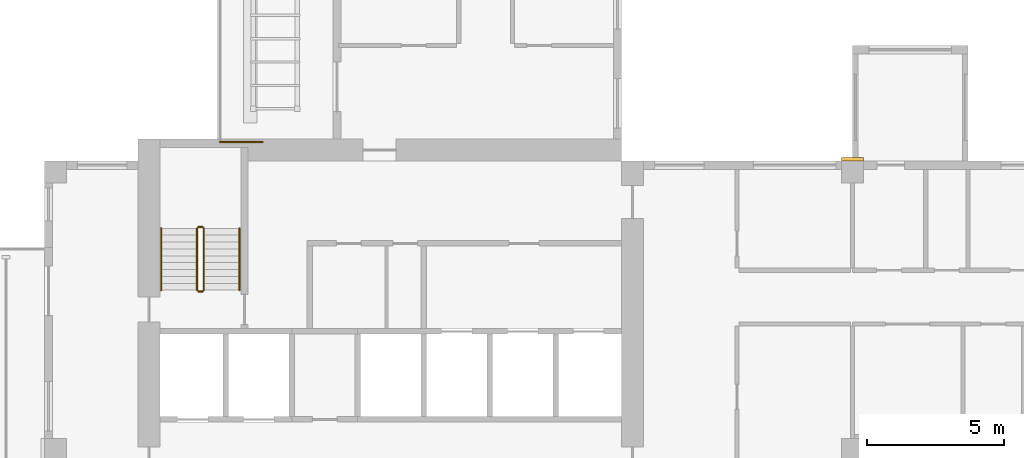
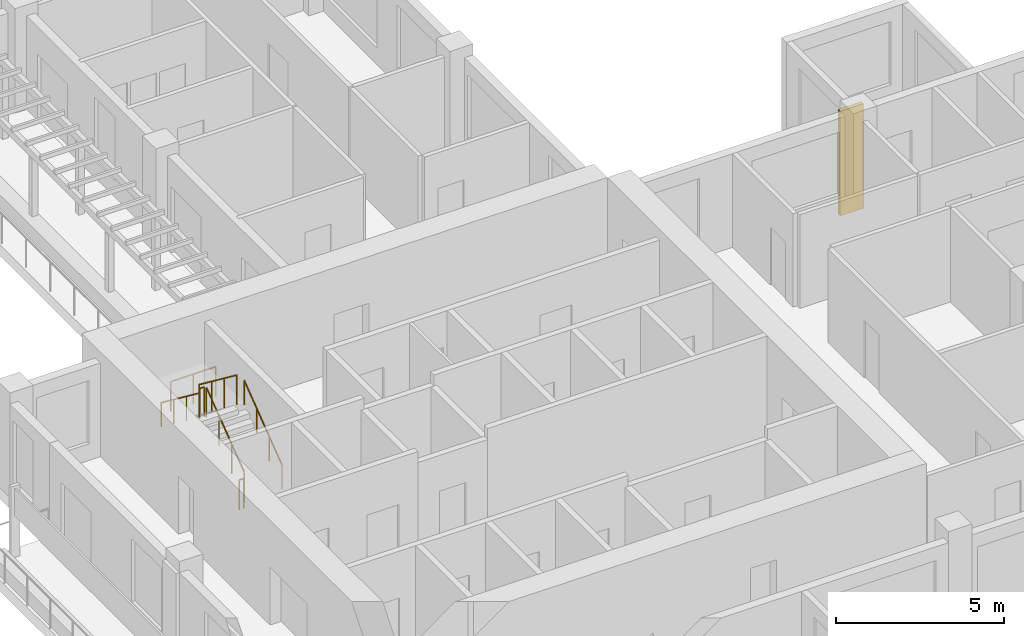
# One storey, part 12 of 14: 7 railings, 1 covering.
"""IFC4 building model written with IfcOpenShell, lengths in metres."""

from ifc_helpers import new_model, si_unit, direction, frame, origin, origin_2d, place, context, subcontext, project, spatial, rectangle, circle, extrude, source, transform, mapped, material, type_object, element, save


model = new_model("IFC4")

# Units and contexts
model_context = context("Model", 3, precision=1e-05, world=origin(), true_north=direction((0.0, 1.0)))
body_context = subcontext(model_context, "Body", "Model", "MODEL_VIEW")
ifc_project = project(units=[si_unit("LENGTHUNIT", "METRE"), si_unit("AREAUNIT", "SQUARE_METRE"), si_unit("VOLUMEUNIT", "CUBIC_METRE"), si_unit("PLANEANGLEUNIT", "RADIAN"), si_unit("MASSUNIT", "GRAM", prefix="KILO")], contexts=[model_context])

# Site, building, storey
site_placement = place(None, origin())
site = spatial("IfcSite", under=ifc_project, at=site_placement, CompositionType="ELEMENT")
building_placement = place(site_placement, origin())
building = spatial("IfcBuilding", under=site, at=building_placement, Name="Aurelian Terraces", CompositionType="ELEMENT")
storey_placement = place(building_placement, frame((0.0, 0.0, 231.0)))
storey = spatial("IfcBuildingStorey", under=building, at=storey_placement, Name="L52", CompositionType="ELEMENT", Elevation=231.0)

# Railing
ifc_material_1 = material(Name="Anodised aluminium", Category="aluminium")
railing_type_1 = type_object("IfcRailingType", Name="GUARD-1100", PredefinedType="GUARDRAIL", material=ifc_material_1)
shared_shape_1 = source(origin(), body_context, "Body", "SweptSolid", [
    extrude(circle(Radius=0.024, at=origin_2d()), frame((0.0, 0.0, 1.076), z_axis=(-1.0, 0.0, 0.0), x_axis=(0.0, -1.0, 0.0)), (0.0, 0.0, 1.0), 1.5471),
    extrude(circle(Radius=0.021, at=origin_2d()), origin(), (0.0, 0.0, 1.0), 1.052),
    extrude(circle(Radius=0.021, at=origin_2d()), frame((-0.7736, 0.0, 0.0)), (0.0, 0.0, 1.0), 1.052),
    extrude(circle(Radius=0.021, at=origin_2d()), frame((-1.5471, 0.0, 0.0)), (0.0, 0.0, 1.0), 1.052),
])
railing_1_placement = place(storey_placement, frame((7.9371, 21.69, 0.0)))
element("IfcRailing", 1, at=railing_1_placement, inside=storey, type_object=railing_type_1, Name="Terrace guard L52 SKY-08-T1.1", PredefinedType="GUARDRAIL", context=body_context, shape_type="MappedRepresentation", body=[
    mapped(shared_shape_1, transform((0.0, 0.0, 0.0), scale=1.0)),
])

# Covering
ifc_material_2 = material(Name="Terracotta rainscreen cladding relief", Category="masonry")
covering_type = type_object("IfcCoveringType", Name="BAGUETTE-TC", PredefinedType="CLADDING", material=ifc_material_2)
shared_shape_2 = source(origin(), body_context, "Body", "SweptSolid", [
    extrude(rectangle(XDim=0.8, YDim=0.12, at=origin_2d()), origin(), (0.0, 0.0, 1.0), 3.8),
])
covering_placement = place(storey_placement, frame((29.4, 21.06, -0.4), z_axis=(0.0, 0.0, 1.0), x_axis=(1.0, 0.0, 0.0)))
element("IfcCovering", 2, at=covering_placement, inside=storey, type_object=covering_type, Name="BAGUETTE pier L52 5", PredefinedType="CLADDING", context=body_context, shape_type="MappedRepresentation", body=[
    mapped(shared_shape_2, transform((0.0, 0.0, 0.0), scale=1.0)),
])

# Railings
ifc_material_3 = material(Name="Stainless steel", Category="steel")
railing_type_2 = type_object("IfcRailingType", Name="Stair guard 1100", PredefinedType="GUARDRAIL", material=ifc_material_3)
shared_shape_3 = source(origin(), body_context, "Body", "SweptSolid", [
    extrude(circle(Radius=0.024, at=origin_2d()), frame((0.0, 0.0, 1.076), z_axis=(-1.0, 0.0, 0.0), x_axis=(0.0, -1.0, 0.0)), (0.0, 0.0, 1.0), 0.15),
    extrude(circle(Radius=0.021, at=origin_2d()), origin(), (0.0, 0.0, 1.0), 1.052),
    extrude(circle(Radius=0.021, at=origin_2d()), frame((-0.15, 0.0, 0.0)), (0.0, 0.0, 1.0), 1.052),
])
for number, where, name in (
    (3, (5.75, 18.6, 1.9), "L52 S1 stair guard 2"),
    (4, (5.75, 16.25, 0.0), "L52 S1 stair guard 4"),
):
    element("IfcRailing", number, at=place(storey_placement, frame(where)), inside=storey, type_object=railing_type_2, Name=name, PredefinedType="GUARDRAIL", context=body_context, shape_type="MappedRepresentation", body=[
        mapped(shared_shape_3, transform((0.0, 0.0, 0.0), scale=1.0)),
    ])
shared_shape_4 = source(origin(), body_context, "Body", "SweptSolid", [
    extrude(circle(Radius=0.024, at=origin_2d()), frame((0.0, 0.0, 1.076), z_axis=(0.0, 0.796162194123, 0.605083267534), x_axis=(-1.0, 0.0, 0.0)), (0.0, 0.0, 1.0), 2.8261),
    extrude(circle(Radius=0.021, at=origin_2d()), origin(), (0.0, 0.0, 1.0), 1.052),
    extrude(circle(Radius=0.021, at=origin_2d()), frame((0.0, 0.75, 0.57)), (0.0, 0.0, 1.0), 1.052),
    extrude(circle(Radius=0.021, at=origin_2d()), frame((0.0, 1.5, 1.14)), (0.0, 0.0, 1.0), 1.052),
    extrude(circle(Radius=0.021, at=origin_2d()), frame((0.0, 2.25, 1.71)), (0.0, 0.0, 1.0), 1.052),
])
railing_2_placement = place(storey_placement, frame((5.8, 16.3, 0.19)))
element("IfcRailing", 5, at=railing_2_placement, inside=storey, type_object=railing_type_2, Name="L52 S1 stair guard 1", PredefinedType="GUARDRAIL", context=body_context, shape_type="MappedRepresentation", body=[
    mapped(shared_shape_4, transform((0.0, 0.0, 0.0), scale=1.0)),
])
shared_shape_5 = source(origin(), body_context, "Body", "SweptSolid", [
    extrude(circle(Radius=0.024, at=origin_2d()), frame((0.0, 0.0, 1.076), z_axis=(0.0, -0.796162194123, 0.605083267534), x_axis=(1.0, 0.0, 0.0)), (0.0, 0.0, 1.0), 2.8261),
    extrude(circle(Radius=0.021, at=origin_2d()), origin(), (0.0, 0.0, 1.0), 1.052),
    extrude(circle(Radius=0.021, at=origin_2d()), frame((0.0, -0.75, 0.57)), (0.0, 0.0, 1.0), 1.052),
    extrude(circle(Radius=0.021, at=origin_2d()), frame((0.0, -1.5, 1.14)), (0.0, 0.0, 1.0), 1.052),
    extrude(circle(Radius=0.021, at=origin_2d()), frame((0.0, -2.25, 1.71)), (0.0, 0.0, 1.0), 1.052),
])
railing_3_placement = place(storey_placement, frame((5.55, 18.55, 2.09)))
element("IfcRailing", 6, at=railing_3_placement, inside=storey, type_object=railing_type_2, Name="L52 S1 stair guard 3", PredefinedType="GUARDRAIL", context=body_context, shape_type="MappedRepresentation", body=[
    mapped(shared_shape_5, transform((0.0, 0.0, 0.0), scale=1.0)),
])
railing_type_3 = type_object("IfcRailingType", Name="Stair handrail", PredefinedType="HANDRAIL", material=ifc_material_3)
shared_shape_6 = source(origin(), body_context, "Body", "SweptSolid", [
    extrude(circle(Radius=0.024, at=origin_2d()), frame((0.0, 0.0, 0.876), z_axis=(0.0, 0.796162194123, 0.605083267534), x_axis=(-1.0, 0.0, 0.0)), (0.0, 0.0, 1.0), 2.8261),
    extrude(circle(Radius=0.021, at=origin_2d()), origin(), (0.0, 0.0, 1.0), 0.852),
    extrude(circle(Radius=0.021, at=origin_2d()), frame((0.0, 0.75, 0.57)), (0.0, 0.0, 1.0), 0.852),
    extrude(circle(Radius=0.021, at=origin_2d()), frame((0.0, 1.5, 1.14)), (0.0, 0.0, 1.0), 0.852),
    extrude(circle(Radius=0.021, at=origin_2d()), frame((0.0, 2.25, 1.71)), (0.0, 0.0, 1.0), 0.852),
])
railing_4_placement = place(storey_placement, frame((7.1, 16.3, 0.19)))
element("IfcRailing", 7, at=railing_4_placement, inside=storey, type_object=railing_type_3, Name="L52 S1 stair handrail 1", PredefinedType="HANDRAIL", context=body_context, shape_type="MappedRepresentation", body=[
    mapped(shared_shape_6, transform((0.0, 0.0, 0.0), scale=1.0)),
])
shared_shape_7 = source(origin(), body_context, "Body", "SweptSolid", [
    extrude(circle(Radius=0.024, at=origin_2d()), frame((0.0, 0.0, 0.876), z_axis=(0.0, -0.796162194123, 0.605083267534), x_axis=(1.0, 0.0, 0.0)), (0.0, 0.0, 1.0), 2.8261),
    extrude(circle(Radius=0.021, at=origin_2d()), origin(), (0.0, 0.0, 1.0), 0.852),
    extrude(circle(Radius=0.021, at=origin_2d()), frame((0.0, -0.75, 0.57)), (0.0, 0.0, 1.0), 0.852),
    extrude(circle(Radius=0.021, at=origin_2d()), frame((0.0, -1.5, 1.14)), (0.0, 0.0, 1.0), 0.852),
    extrude(circle(Radius=0.021, at=origin_2d()), frame((0.0, -2.25, 1.71)), (0.0, 0.0, 1.0), 0.852),
])
railing_5_placement = place(storey_placement, frame((4.25, 18.55, 2.09)))
element("IfcRailing", 8, at=railing_5_placement, inside=storey, type_object=railing_type_3, Name="L52 S1 stair handrail 2", PredefinedType="HANDRAIL", context=body_context, shape_type="MappedRepresentation", body=[
    mapped(shared_shape_7, transform((0.0, 0.0, 0.0), scale=1.0)),
])

save(model, "model.ifc")
